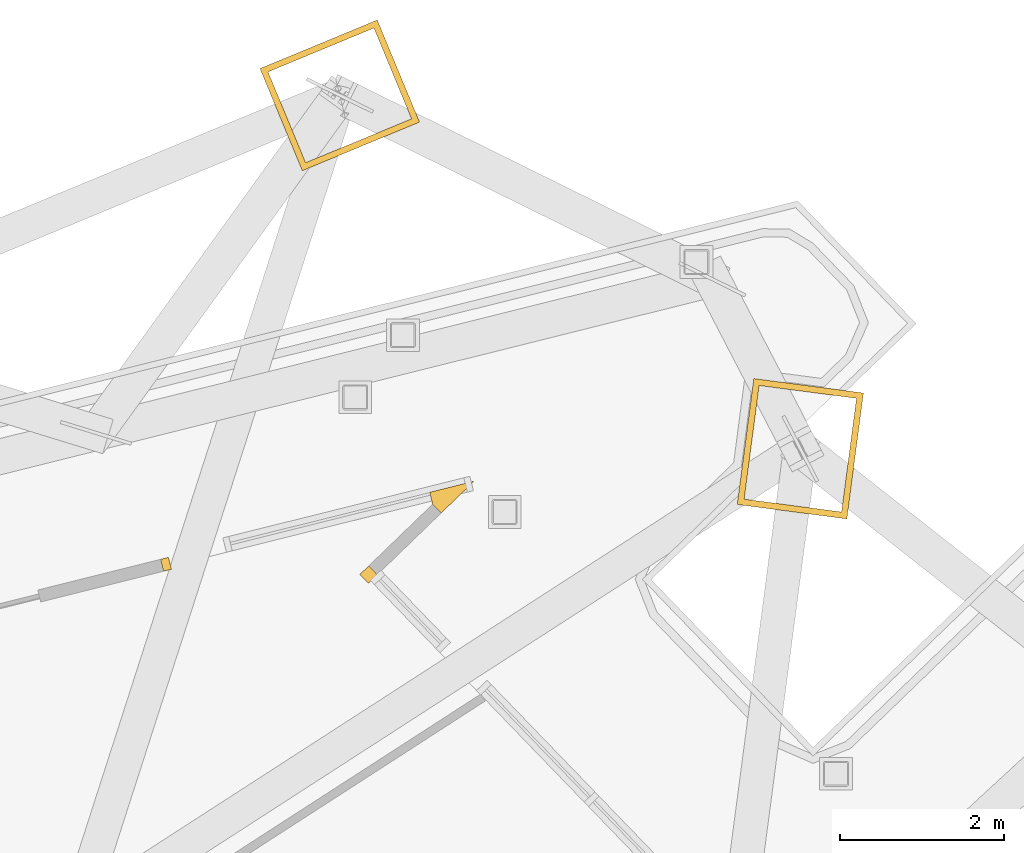
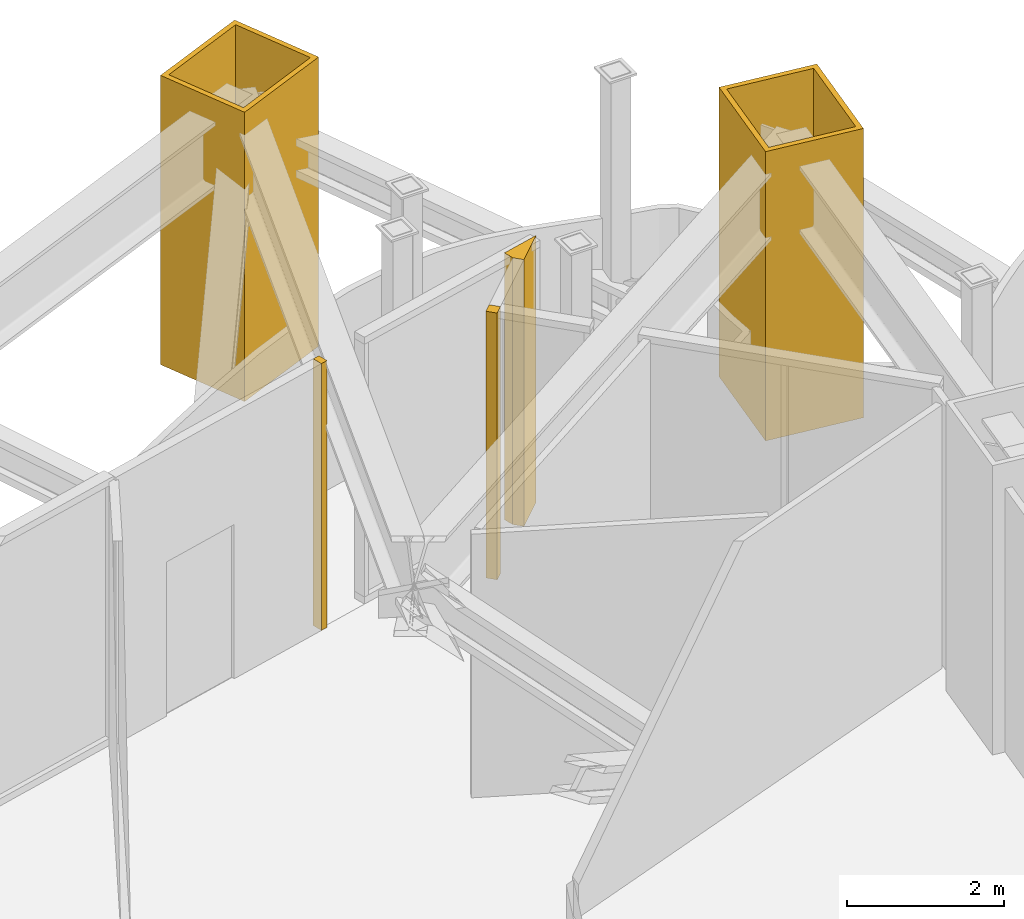
# One storey, part 26 of 26: 5 coverings.
"""IFC4 building model written with IfcOpenShell, lengths in metres."""

from ifc_helpers import new_model, si_unit, direction, frame, origin, place, context, subcontext, project, spatial, polyline, outline, extrude, material, layer, layer_set, type_object, element, save


model = new_model("IFC4")

# Units and contexts
model_context = context("Model", 3, precision=1e-05, world=origin(), true_north=direction((0.0, 1.0)))
body_context = subcontext(model_context, "Body", "Model", "MODEL_VIEW")
ifc_project = project(units=[si_unit("LENGTHUNIT", "METRE"), si_unit("AREAUNIT", "SQUARE_METRE"), si_unit("VOLUMEUNIT", "CUBIC_METRE"), si_unit("PLANEANGLEUNIT", "RADIAN"), si_unit("MASSUNIT", "GRAM", prefix="KILO")], contexts=[model_context])

# Site, building, storey
site_placement = place(None, origin())
site = spatial("IfcSite", under=ifc_project, at=site_placement, CompositionType="ELEMENT")
building_placement = place(site_placement, origin())
building = spatial("IfcBuilding", under=site, at=building_placement, Name="Trine Commons Tower", CompositionType="ELEMENT")
storey_placement = place(building_placement, frame((0.0, 0.0, 119.699951171875)))
storey = spatial("IfcBuildingStorey", under=building, at=storey_placement, Name="L30", CompositionType="ELEMENT", Elevation=119.699951171875)

# Coverings
ifc_material_1 = material(Name="Aluminium-framed insulated wall panel", Category="aluminium")
ifc_layer_1 = layer(ifc_material_1, 0.14990234375)
ifc_layer_set_1 = layer_set([ifc_layer_1], Name="Aluminium-framed insulated wall panel")
covering_type_1 = type_object("IfcCoveringType", Name="Glazing corner post, aluminium", PredefinedType="CLADDING", material=ifc_layer_set_1)
covering_1_placement = place(storey_placement, origin())
element("IfcCovering", 1, at=covering_1_placement, inside=storey, type_object=covering_type_1, Name="Entrance wall jamb post F1 12B", PredefinedType="CLADDING", context=body_context, shape_type="SweptSolid", body=[
    extrude(outline(polyline([(94.8251953125, 84.82861328125), (94.922119140625, 84.852783203125), (94.95849609375, 84.70751953125), (94.861572265625, 84.68310546875), (94.8251953125, 84.82861328125)])), origin(), (0.0, 0.0, 1.0), 4.150146484375),
])
covering_2_placement = place(storey_placement, origin())
element("IfcCovering", 2, at=covering_2_placement, inside=storey, type_object=covering_type_1, Name="Glazing corner post 3-05", PredefinedType="CLADDING", context=body_context, shape_type="SweptSolid", body=[
    extrude(outline(polyline([(98.252197265625, 85.394775390625), (98.65478515625, 85.78369140625), (98.11181640625, 85.648193359375), (98.14794921875, 85.502685546875), (98.252197265625, 85.394775390625)])), origin(), (0.0, 0.0, 1.0), 4.150146484375),
])
covering_3_placement = place(storey_placement, origin())
element("IfcCovering", 3, at=covering_3_placement, inside=storey, type_object=covering_type_1, Name="Glazing corner post 3-06", PredefinedType="CLADDING", context=body_context, shape_type="SweptSolid", body=[
    extrude(outline(polyline([(97.36328125, 84.536376953125), (97.47119140625, 84.640380859375), (97.47119140625, 84.640380859375), (97.366943359375, 84.748291015625), (97.259033203125, 84.644287109375), (97.36328125, 84.536376953125)])), origin(), (0.0, 0.0, 1.0), 4.150146484375),
])
ifc_material_2 = material(Name="Limestone, honed", Category="masonry")
ifc_layer_2 = layer(ifc_material_2, 0.074951171875)
ifc_layer_set_2 = layer_set([ifc_layer_2], Name="Limestone, honed")
covering_type_2 = type_object("IfcCoveringType", Name="Limestone column cladding 75", PredefinedType="CLADDING", material=ifc_layer_set_2)
covering_4_placement = place(storey_placement, origin())
element("IfcCovering", 4, at=covering_4_placement, inside=storey, type_object=covering_type_2, Name="Limestone pier cladding 4-16", PredefinedType="CLADDING", context=body_context, shape_type="SweptSolid", body=[
    extrude(outline(polyline([(97.98779296875, 90.168212890625), (97.47119140625, 91.415283203125), (96.039306640625, 90.822021484375), (96.555908203125, 89.574951171875), (97.98779296875, 90.168212890625)]), holes=[polyline([(97.889892578125, 90.208740234375), (97.4306640625, 91.3173828125), (96.13720703125, 90.781494140625), (96.596435546875, 89.6728515625), (97.889892578125, 90.208740234375)])]), origin(), (0.0, 0.0, 1.0), 4.5),
])
covering_5_placement = place(storey_placement, origin())
element("IfcCovering", 5, at=covering_5_placement, inside=storey, type_object=covering_type_2, Name="Limestone pier cladding 4-17", PredefinedType="CLADDING", context=body_context, shape_type="SweptSolid", body=[
    extrude(outline(polyline([(103.408203125, 86.85986328125), (102.069580078125, 87.0361328125), (101.8671875, 85.499267578125), (103.205810546875, 85.322998046875), (103.408203125, 86.85986328125)]), holes=[polyline([(103.323974609375, 86.79541015625), (102.13427734375, 86.951904296875), (101.951416015625, 85.56396484375), (103.14111328125, 85.4072265625), (103.323974609375, 86.79541015625)])]), origin(), (0.0, 0.0, 1.0), 4.5),
])

save(model, "model.ifc")
